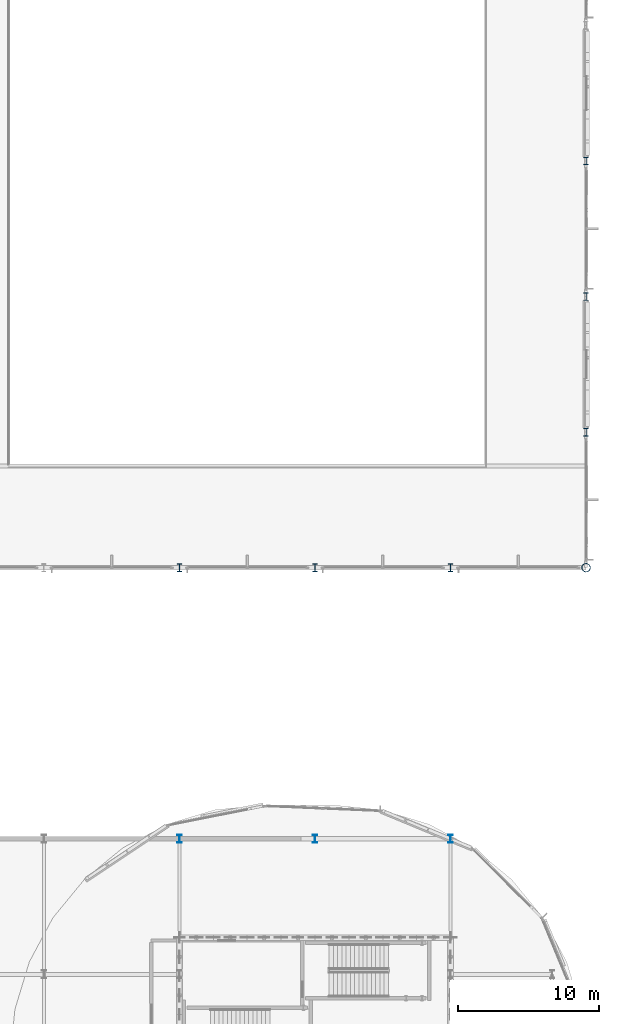
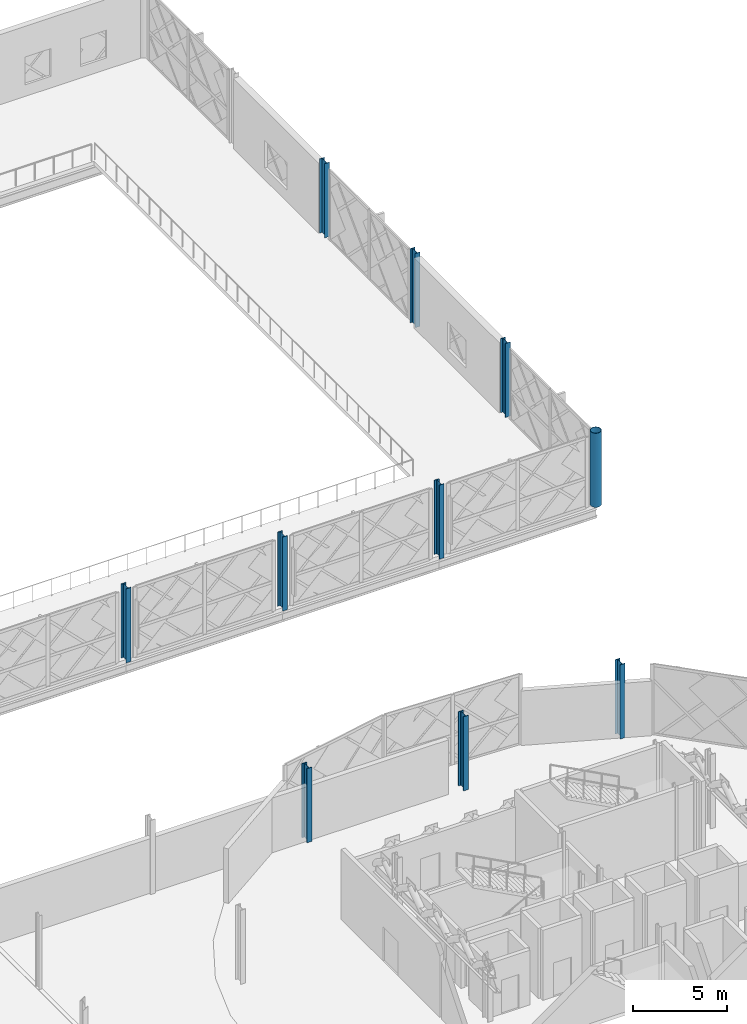
# One storey, part 16 of 77: 10 columns.
"""IFC4 building model written with IfcOpenShell, lengths in metres."""

from ifc_helpers import new_model, si_unit, direction, frame, origin, origin_2d, place, context, subcontext, project, spatial, hollow_circle, i_section, extrude, material, material_profile, profile_set, type_object, element, save


model = new_model("IFC4")

# Units and contexts
model_context = context("Model", 3, precision=1e-05, world=origin(), true_north=direction((0.0, 1.0)))
body_context = subcontext(model_context, "Body", "Model", "MODEL_VIEW")
ifc_project = project(units=[si_unit("LENGTHUNIT", "METRE"), si_unit("AREAUNIT", "SQUARE_METRE"), si_unit("VOLUMEUNIT", "CUBIC_METRE"), si_unit("PLANEANGLEUNIT", "RADIAN"), si_unit("MASSUNIT", "GRAM", prefix="KILO")], contexts=[model_context])

# Site, building, storey
site_placement = place(None, origin())
site = spatial("IfcSite", under=ifc_project, at=site_placement, CompositionType="ELEMENT")
building_placement = place(site_placement, origin())
building = spatial("IfcBuilding", under=site, at=building_placement, Name="Zevrakil Square Congress Hotel", CompositionType="ELEMENT")
storey_placement = place(building_placement, frame((0.0, 0.0, 9.89990234375)))
storey = spatial("IfcBuildingStorey", under=building, at=storey_placement, Name="L03", CompositionType="ELEMENT", Elevation=9.89990234375)

# Columns
ifc_material_1 = material(Name="Steel S355", Category="steel")
ifc_material_profile_1 = material_profile(ifc_material_1, hollow_circle(Radius=0.304931640625, WallThickness=0.02490234375, at=origin_2d()), Name="CHS 610x25")
ifc_profile_set_1 = profile_set([ifc_material_profile_1], Name="Steel S355")
column_type_1 = type_object("IfcColumnType", Name="COL-CHS610", PredefinedType="COLUMN", material=ifc_profile_set_1)
column_placement = place(storey_placement, frame((165.60009765625, 64.800048828125, 0.0), z_axis=(0.0, 0.0, 1.0), x_axis=(1.0, 0.0, 0.0)))
element("IfcColumn", 1, at=column_placement, inside=storey, type_object=column_type_1, Name="L03 column C-235", PredefinedType="COLUMN", context=body_context, shape_type="SweptSolid", body=[
    extrude(hollow_circle(Radius=0.304931640625, WallThickness=0.02490234375, at=origin_2d()), origin(), (0.0, 0.0, 1.0), 4.800048828125),
])
ifc_material_2 = material(Name="Steel S355", Category="steel")
ifc_material_profile_2 = material_profile(ifc_material_2, i_section(OverallWidth=0.300048828125, OverallDepth=0.550048828125, WebThickness=0.014892578125, FlangeThickness=0.029052734375, FilletRadius=0.027099609375, at=origin_2d()), Name="HEB 550")
ifc_profile_set_2 = profile_set([ifc_material_profile_2], Name="Steel S355")
column_type_2 = type_object("IfcColumnType", Name="COL-HEB550", PredefinedType="COLUMN", material=ifc_profile_set_2)
for number, where, z_axis, x_axis, name in (
    (2, (136.800048828125, 64.800048828125, 0.0), (0.0, 0.0, 1.0), (1.0, 0.0, 0.0), "L03 column C-210"),
    (3, (146.39990234375, 64.800048828125, 0.0), (0.0, 0.0, 1.0), (1.0, 0.0, 0.0), "L03 column C-217"),
    (4, (156.0, 64.800048828125, 0.0), (0.0, 0.0, 1.0), (1.0, 0.0, 0.0), "L03 column C-226"),
    (5, (165.60009765625, 74.39990234375, 0.0), (0.0, 0.0, 1.0), (1.0, 0.0, 0.0), "L03 column C-236"),
    (6, (165.60009765625, 84.0, 0.0), (0.0, 0.0, 1.0), (1.0, 0.0, 0.0), "L03 column C-237"),
    (7, (165.60009765625, 93.60009765625, 0.0), (0.0, 0.0, 1.0), (1.0, 0.0, 0.0), "L03 column C-238"),
):
    element("IfcColumn", number, at=place(storey_placement, frame(where, z_axis=z_axis, x_axis=x_axis)), inside=storey, type_object=column_type_2, Name=name, PredefinedType="COLUMN", context=body_context, shape_type="SweptSolid", body=[
        extrude(i_section(OverallWidth=0.300048828125, OverallDepth=0.550048828125, WebThickness=0.014892578125, FlangeThickness=0.029052734375, FilletRadius=0.027099609375, at=origin_2d()), origin(), (0.0, 0.0, 1.0), 4.800048828125),
    ])
ifc_material_3 = material(Name="Steel S355", Category="steel")
ifc_material_profile_3 = material_profile(ifc_material_3, i_section(OverallWidth=0.305908203125, OverallDepth=0.572021484375, WebThickness=0.02099609375, FlangeThickness=0.0400390625, FilletRadius=0.027099609375, at=origin_2d()), Name="HEM 550")
ifc_profile_set_3 = profile_set([ifc_material_profile_3], Name="Steel S355")
column_type_3 = type_object("IfcColumnType", Name="COL-HEM550", PredefinedType="COLUMN", material=ifc_profile_set_3)
for number, where, z_axis, x_axis, name in (
    (8, (136.800048828125, 45.60009765625, 0.0), (0.0, 0.0, 1.0), (1.0, 0.0, 0.0), "L03 column C-209"),
    (9, (146.39990234375, 45.60009765625, 0.0), (0.0, 0.0, 1.0), (1.0, 0.0, 0.0), "L03 column C-216"),
    (10, (156.0, 45.60009765625, 0.0), (0.0, 0.0, 1.0), (1.0, 0.0, 0.0), "L03 column C-225"),
):
    element("IfcColumn", number, at=place(storey_placement, frame(where, z_axis=z_axis, x_axis=x_axis)), inside=storey, type_object=column_type_3, Name=name, PredefinedType="COLUMN", context=body_context, shape_type="SweptSolid", body=[
        extrude(i_section(OverallWidth=0.305908203125, OverallDepth=0.572021484375, WebThickness=0.02099609375, FlangeThickness=0.0400390625, FilletRadius=0.027099609375, at=origin_2d()), origin(), (0.0, 0.0, 1.0), 4.800048828125),
    ])

save(model, "model.ifc")
